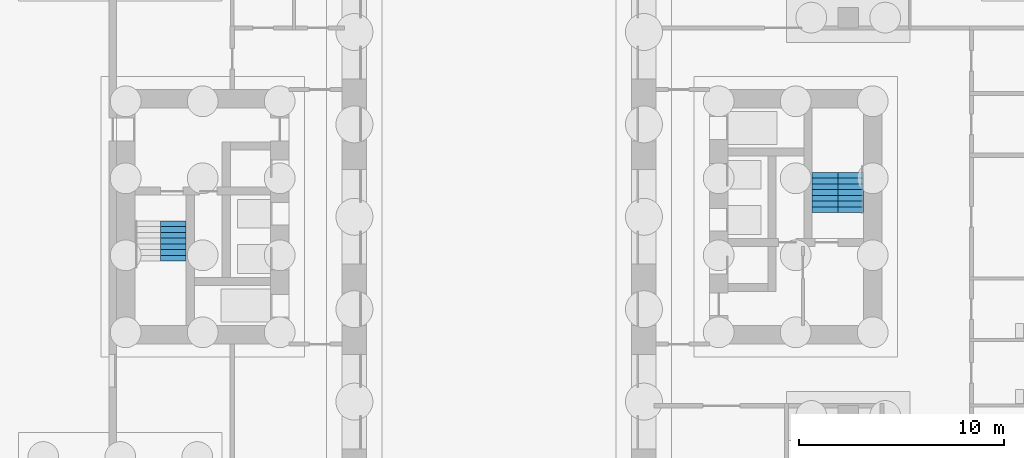
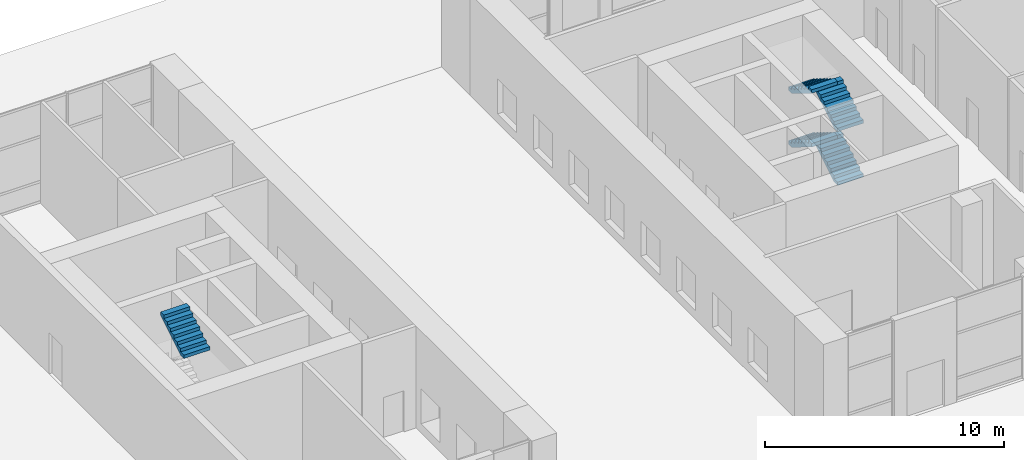
# One storey, part 22 of 26: 5 stair flights, 2 elements without a shape of their own.
"""IFC4 building model written with IfcOpenShell, lengths in metres."""

from ifc_helpers import new_model, si_unit, direction, frame, origin, place, context, subcontext, project, spatial, faceted_brep, material, type_object, element, aggregate, save


model = new_model("IFC4")

# Units and contexts
model_context = context("Model", 3, precision=1e-05, world=origin(), true_north=direction((0.0, 1.0)))
body_context = subcontext(model_context, "Body", "Model", "MODEL_VIEW")
ifc_project = project(units=[si_unit("LENGTHUNIT", "METRE"), si_unit("AREAUNIT", "SQUARE_METRE"), si_unit("VOLUMEUNIT", "CUBIC_METRE"), si_unit("PLANEANGLEUNIT", "RADIAN"), si_unit("MASSUNIT", "GRAM", prefix="KILO")], contexts=[model_context])

# Site, building, storey
site_placement = place(None, origin())
site = spatial("IfcSite", under=ifc_project, at=site_placement, CompositionType="ELEMENT")
building_placement = place(site_placement, origin())
building = spatial("IfcBuilding", under=site, at=building_placement, Name="Tuart Gate Housing", CompositionType="ELEMENT")
storey_placement = place(building_placement, origin())
storey = spatial("IfcBuildingStorey", under=building, at=storey_placement, Name="L00", CompositionType="ELEMENT", Elevation=0.0)

# Stair, stair flight
ifc_material_1 = material(Name="Concrete C40", Category="concrete")
stair_type = type_object("IfcStairType", Name="Core stair 1250", PredefinedType="HALF_TURN_STAIR", material=ifc_material_1)
stair_1_placement = place(storey_placement, origin())
stair_1 = element("IfcStair", 1, at=stair_1_placement, inside=storey, type_object=stair_type, Name="Stair SB1", PredefinedType="HALF_TURN_STAIR")
ifc_material_2 = material(Name="Concrete C40", Category="concrete")
stair_flight_type = type_object("IfcStairFlightType", Name="Stair flight 1250, 8 risers 172 x 280", PredefinedType="STRAIGHT", material=ifc_material_2)
stair_flight_1_placement = place(storey_placement, frame((134.135009765625, 67.840087890625, 4.125), z_axis=(0.0, 0.0, 1.0), x_axis=(0.0, 1.0, 0.0)))
stair_flight_1 = element("IfcStairFlight", 2, at=stair_flight_1_placement, type_object=stair_flight_type, Name="SB1 flight 4", NumberOfRisers=8, NumberOfTreads=7, PredefinedType="STRAIGHT", RiserHeight=0.171875, TreadLength=0.28, context=body_context, shape_type="Brep", body=[
    faceted_brep([(0.0, 0.625, 0.0), (0.0, 0.625, 0.171875), (0.280029296875, 0.625, 0.171875), (0.280029296875, 0.625, 0.34375), (0.56005859375, 0.625, 0.34375), (0.56005859375, 0.625, 0.515625), (0.840087890625, 0.625, 0.515625), (0.840087890625, 0.625, 0.6875), (1.1201171875, 0.625, 0.6875), (1.1201171875, 0.625, 0.859375), (1.39990234375, 0.625, 0.859375), (1.39990234375, 0.625, 1.03125), (1.679931640625, 0.625, 1.03125), (1.679931640625, 0.625, 1.203125), (1.9599609375, 0.625, 1.203125), (1.9599609375, 0.625, 1.02734375), (0.28662109375, 0.625, 0.0), (0.28662109375, -0.625, 0.0), (1.9599609375, -0.625, 1.02734375), (1.9599609375, -0.625, 1.203125), (1.679931640625, -0.625, 1.203125), (1.679931640625, -0.625, 1.03125), (1.39990234375, -0.625, 1.03125), (1.39990234375, -0.625, 0.859375), (1.1201171875, -0.625, 0.859375), (1.1201171875, -0.625, 0.6875), (0.840087890625, -0.625, 0.6875), (0.840087890625, -0.625, 0.515625), (0.56005859375, -0.625, 0.515625), (0.56005859375, -0.625, 0.34375), (0.280029296875, -0.625, 0.34375), (0.280029296875, -0.625, 0.171875), (0.0, -0.625, 0.171875), (0.0, -0.625, 0.0), (1.9599609375, 0.0, 1.02734375), (0.28662109375, 0.0, 0.0), (1.9599609375, 0.0, 1.203125), (1.679931640625, 0.0, 1.203125), (1.679931640625, 0.0, 1.03125), (1.39990234375, 0.0, 1.03125), (1.39990234375, 0.0, 0.859375), (1.1201171875, 0.0, 0.859375), (1.1201171875, 0.0, 0.6875), (0.840087890625, 0.0, 0.6875), (0.840087890625, 0.0, 0.515625), (0.56005859375, 0.0, 0.515625), (0.56005859375, 0.0, 0.34375), (0.280029296875, 0.0, 0.34375), (0.280029296875, 0.0, 0.171875), (0.0, 0.0, 0.171875), (0.0, 0.0, 0.0)], [[[0, 1, 2, 3, 4, 5, 6, 7, 8, 9, 10, 11, 12, 13, 14, 15, 16]], [[17, 18, 19, 20, 21, 22, 23, 24, 25, 26, 27, 28, 29, 30, 31, 32, 33]], [[16, 15, 34, 35]], [[35, 34, 18, 17]], [[15, 14, 36, 34]], [[34, 36, 19, 18]], [[14, 13, 37, 36]], [[36, 37, 20, 19]], [[13, 12, 38, 37]], [[37, 38, 21, 20]], [[12, 11, 39, 38]], [[38, 39, 22, 21]], [[11, 10, 40, 39]], [[39, 40, 23, 22]], [[10, 9, 41, 40]], [[40, 41, 24, 23]], [[9, 8, 42, 41]], [[41, 42, 25, 24]], [[8, 7, 43, 42]], [[42, 43, 26, 25]], [[7, 6, 44, 43]], [[43, 44, 27, 26]], [[6, 5, 45, 44]], [[44, 45, 28, 27]], [[5, 4, 46, 45]], [[45, 46, 29, 28]], [[4, 3, 47, 46]], [[46, 47, 30, 29]], [[3, 2, 48, 47]], [[47, 48, 31, 30]], [[2, 1, 49, 48]], [[48, 49, 32, 31]], [[1, 0, 50, 49]], [[49, 50, 33, 32]], [[0, 16, 35, 50]], [[50, 35, 17, 33]]]),
])
aggregate(stair_1, [stair_flight_1])

# Stair, stair flights
stair_2_placement = place(storey_placement, origin())
stair_2 = element("IfcStair", 3, at=stair_2_placement, inside=storey, type_object=stair_type, Name="Stair SB2", PredefinedType="HALF_TURN_STAIR")
stair_flight_2_placement = place(storey_placement, frame((167.114990234375, 70.199951171875, 0.0), z_axis=(0.0, 0.0, 1.0), x_axis=(0.0, 1.0, 0.0)))
stair_flight_2 = element("IfcStairFlight", 4, at=stair_flight_2_placement, type_object=stair_flight_type, Name="SB2 flight 1", NumberOfRisers=8, NumberOfTreads=7, PredefinedType="STRAIGHT", RiserHeight=0.171875, TreadLength=0.28, context=body_context, shape_type="Brep", body=[
    faceted_brep([(0.0, 0.625, 0.0), (0.0, 0.625, 0.171875), (0.280029296875, 0.625, 0.171875), (0.280029296875, 0.625, 0.34375), (0.56005859375, 0.625, 0.34375), (0.56005859375, 0.625, 0.515625), (0.840087890625, 0.625, 0.515625), (0.840087890625, 0.625, 0.6875), (1.1201171875, 0.625, 0.6875), (1.1201171875, 0.625, 0.859375), (1.39990234375, 0.625, 0.859375), (1.39990234375, 0.625, 1.03125), (1.679931640625, 0.625, 1.03125), (1.679931640625, 0.625, 1.203125), (1.9599609375, 0.625, 1.203125), (1.9599609375, 0.625, 1.02734375), (0.28662109375, 0.625, 0.0), (0.28662109375, -0.625, 0.0), (1.9599609375, -0.625, 1.02734375), (1.9599609375, -0.625, 1.203125), (1.679931640625, -0.625, 1.203125), (1.679931640625, -0.625, 1.03125), (1.39990234375, -0.625, 1.03125), (1.39990234375, -0.625, 0.859375), (1.1201171875, -0.625, 0.859375), (1.1201171875, -0.625, 0.6875), (0.840087890625, -0.625, 0.6875), (0.840087890625, -0.625, 0.515625), (0.56005859375, -0.625, 0.515625), (0.56005859375, -0.625, 0.34375), (0.280029296875, -0.625, 0.34375), (0.280029296875, -0.625, 0.171875), (0.0, -0.625, 0.171875), (0.0, -0.625, 0.0), (1.9599609375, 0.0, 1.02734375), (0.28662109375, 0.0, 0.0), (1.9599609375, 0.0, 1.203125), (1.679931640625, 0.0, 1.203125), (1.679931640625, 0.0, 1.03125), (1.39990234375, 0.0, 1.03125), (1.39990234375, 0.0, 0.859375), (1.1201171875, 0.0, 0.859375), (1.1201171875, 0.0, 0.6875), (0.840087890625, 0.0, 0.6875), (0.840087890625, 0.0, 0.515625), (0.56005859375, 0.0, 0.515625), (0.56005859375, 0.0, 0.34375), (0.280029296875, 0.0, 0.34375), (0.280029296875, 0.0, 0.171875), (0.0, 0.0, 0.171875), (0.0, 0.0, 0.0)], [[[0, 1, 2, 3, 4, 5, 6, 7, 8, 9, 10, 11, 12, 13, 14, 15, 16]], [[17, 18, 19, 20, 21, 22, 23, 24, 25, 26, 27, 28, 29, 30, 31, 32, 33]], [[16, 15, 34, 35]], [[35, 34, 18, 17]], [[15, 14, 36, 34]], [[34, 36, 19, 18]], [[14, 13, 37, 36]], [[36, 37, 20, 19]], [[13, 12, 38, 37]], [[37, 38, 21, 20]], [[12, 11, 39, 38]], [[38, 39, 22, 21]], [[11, 10, 40, 39]], [[39, 40, 23, 22]], [[10, 9, 41, 40]], [[40, 41, 24, 23]], [[9, 8, 42, 41]], [[41, 42, 25, 24]], [[8, 7, 43, 42]], [[42, 43, 26, 25]], [[7, 6, 44, 43]], [[43, 44, 27, 26]], [[6, 5, 45, 44]], [[44, 45, 28, 27]], [[5, 4, 46, 45]], [[45, 46, 29, 28]], [[4, 3, 47, 46]], [[46, 47, 30, 29]], [[3, 2, 48, 47]], [[47, 48, 31, 30]], [[2, 1, 49, 48]], [[48, 49, 32, 31]], [[1, 0, 50, 49]], [[49, 50, 33, 32]], [[0, 16, 35, 50]], [[50, 35, 17, 33]]]),
])
stair_flight_3_placement = place(storey_placement, frame((165.864990234375, 72.159912109375, 1.375), z_axis=(0.0, 0.0, 1.0), x_axis=(0.0, -1.0, 0.0)))
stair_flight_3 = element("IfcStairFlight", 5, at=stair_flight_3_placement, type_object=stair_flight_type, Name="SB2 flight 2", NumberOfRisers=8, NumberOfTreads=7, PredefinedType="STRAIGHT", RiserHeight=0.171875, TreadLength=0.28, context=body_context, shape_type="Brep", body=[
    faceted_brep([(0.0, 0.625, 0.0), (0.0, 0.625, 0.171875), (0.280029296875, 0.625, 0.171875), (0.280029296875, 0.625, 0.34375), (0.56005859375, 0.625, 0.34375), (0.56005859375, 0.625, 0.515625), (0.840087890625, 0.625, 0.515625), (0.840087890625, 0.625, 0.6875), (1.1201171875, 0.625, 0.6875), (1.1201171875, 0.625, 0.859375), (1.39990234375, 0.625, 0.859375), (1.39990234375, 0.625, 1.03125), (1.679931640625, 0.625, 1.03125), (1.679931640625, 0.625, 1.203125), (1.9599609375, 0.625, 1.203125), (1.9599609375, 0.625, 1.02734375), (0.28662109375, 0.625, 0.0), (0.28662109375, -0.625, 0.0), (1.9599609375, -0.625, 1.02734375), (1.9599609375, -0.625, 1.203125), (1.679931640625, -0.625, 1.203125), (1.679931640625, -0.625, 1.03125), (1.39990234375, -0.625, 1.03125), (1.39990234375, -0.625, 0.859375), (1.1201171875, -0.625, 0.859375), (1.1201171875, -0.625, 0.6875), (0.840087890625, -0.625, 0.6875), (0.840087890625, -0.625, 0.515625), (0.56005859375, -0.625, 0.515625), (0.56005859375, -0.625, 0.34375), (0.280029296875, -0.625, 0.34375), (0.280029296875, -0.625, 0.171875), (0.0, -0.625, 0.171875), (0.0, -0.625, 0.0), (1.9599609375, 0.0, 1.02734375), (0.28662109375, 0.0, 0.0), (1.9599609375, 0.0, 1.203125), (1.679931640625, 0.0, 1.203125), (1.679931640625, 0.0, 1.03125), (1.39990234375, 0.0, 1.03125), (1.39990234375, 0.0, 0.859375), (1.1201171875, 0.0, 0.859375), (1.1201171875, 0.0, 0.6875), (0.840087890625, 0.0, 0.6875), (0.840087890625, 0.0, 0.515625), (0.56005859375, 0.0, 0.515625), (0.56005859375, 0.0, 0.34375), (0.280029296875, 0.0, 0.34375), (0.280029296875, 0.0, 0.171875), (0.0, 0.0, 0.171875), (0.0, 0.0, 0.0)], [[[0, 1, 2, 3, 4, 5, 6, 7, 8, 9, 10, 11, 12, 13, 14, 15, 16]], [[17, 18, 19, 20, 21, 22, 23, 24, 25, 26, 27, 28, 29, 30, 31, 32, 33]], [[16, 15, 34, 35]], [[35, 34, 18, 17]], [[15, 14, 36, 34]], [[34, 36, 19, 18]], [[14, 13, 37, 36]], [[36, 37, 20, 19]], [[13, 12, 38, 37]], [[37, 38, 21, 20]], [[12, 11, 39, 38]], [[38, 39, 22, 21]], [[11, 10, 40, 39]], [[39, 40, 23, 22]], [[10, 9, 41, 40]], [[40, 41, 24, 23]], [[9, 8, 42, 41]], [[41, 42, 25, 24]], [[8, 7, 43, 42]], [[42, 43, 26, 25]], [[7, 6, 44, 43]], [[43, 44, 27, 26]], [[6, 5, 45, 44]], [[44, 45, 28, 27]], [[5, 4, 46, 45]], [[45, 46, 29, 28]], [[4, 3, 47, 46]], [[46, 47, 30, 29]], [[3, 2, 48, 47]], [[47, 48, 31, 30]], [[2, 1, 49, 48]], [[48, 49, 32, 31]], [[1, 0, 50, 49]], [[49, 50, 33, 32]], [[0, 16, 35, 50]], [[50, 35, 17, 33]]]),
])
stair_flight_4_placement = place(storey_placement, frame((167.114990234375, 70.199951171875, 2.75), z_axis=(0.0, 0.0, 1.0), x_axis=(0.0, 1.0, 0.0)))
stair_flight_4 = element("IfcStairFlight", 6, at=stair_flight_4_placement, type_object=stair_flight_type, Name="SB2 flight 3", NumberOfRisers=8, NumberOfTreads=7, PredefinedType="STRAIGHT", RiserHeight=0.171875, TreadLength=0.28, context=body_context, shape_type="Brep", body=[
    faceted_brep([(0.0, 0.625, 0.0), (0.0, 0.625, 0.171875), (0.280029296875, 0.625, 0.171875), (0.280029296875, 0.625, 0.34375), (0.56005859375, 0.625, 0.34375), (0.56005859375, 0.625, 0.515625), (0.840087890625, 0.625, 0.515625), (0.840087890625, 0.625, 0.6875), (1.1201171875, 0.625, 0.6875), (1.1201171875, 0.625, 0.859375), (1.39990234375, 0.625, 0.859375), (1.39990234375, 0.625, 1.03125), (1.679931640625, 0.625, 1.03125), (1.679931640625, 0.625, 1.203125), (1.9599609375, 0.625, 1.203125), (1.9599609375, 0.625, 1.02734375), (0.28662109375, 0.625, 0.0), (0.28662109375, -0.625, 0.0), (1.9599609375, -0.625, 1.02734375), (1.9599609375, -0.625, 1.203125), (1.679931640625, -0.625, 1.203125), (1.679931640625, -0.625, 1.03125), (1.39990234375, -0.625, 1.03125), (1.39990234375, -0.625, 0.859375), (1.1201171875, -0.625, 0.859375), (1.1201171875, -0.625, 0.6875), (0.840087890625, -0.625, 0.6875), (0.840087890625, -0.625, 0.515625), (0.56005859375, -0.625, 0.515625), (0.56005859375, -0.625, 0.34375), (0.280029296875, -0.625, 0.34375), (0.280029296875, -0.625, 0.171875), (0.0, -0.625, 0.171875), (0.0, -0.625, 0.0), (1.9599609375, 0.0, 1.02734375), (0.28662109375, 0.0, 0.0), (1.9599609375, 0.0, 1.203125), (1.679931640625, 0.0, 1.203125), (1.679931640625, 0.0, 1.03125), (1.39990234375, 0.0, 1.03125), (1.39990234375, 0.0, 0.859375), (1.1201171875, 0.0, 0.859375), (1.1201171875, 0.0, 0.6875), (0.840087890625, 0.0, 0.6875), (0.840087890625, 0.0, 0.515625), (0.56005859375, 0.0, 0.515625), (0.56005859375, 0.0, 0.34375), (0.280029296875, 0.0, 0.34375), (0.280029296875, 0.0, 0.171875), (0.0, 0.0, 0.171875), (0.0, 0.0, 0.0)], [[[0, 1, 2, 3, 4, 5, 6, 7, 8, 9, 10, 11, 12, 13, 14, 15, 16]], [[17, 18, 19, 20, 21, 22, 23, 24, 25, 26, 27, 28, 29, 30, 31, 32, 33]], [[16, 15, 34, 35]], [[35, 34, 18, 17]], [[15, 14, 36, 34]], [[34, 36, 19, 18]], [[14, 13, 37, 36]], [[36, 37, 20, 19]], [[13, 12, 38, 37]], [[37, 38, 21, 20]], [[12, 11, 39, 38]], [[38, 39, 22, 21]], [[11, 10, 40, 39]], [[39, 40, 23, 22]], [[10, 9, 41, 40]], [[40, 41, 24, 23]], [[9, 8, 42, 41]], [[41, 42, 25, 24]], [[8, 7, 43, 42]], [[42, 43, 26, 25]], [[7, 6, 44, 43]], [[43, 44, 27, 26]], [[6, 5, 45, 44]], [[44, 45, 28, 27]], [[5, 4, 46, 45]], [[45, 46, 29, 28]], [[4, 3, 47, 46]], [[46, 47, 30, 29]], [[3, 2, 48, 47]], [[47, 48, 31, 30]], [[2, 1, 49, 48]], [[48, 49, 32, 31]], [[1, 0, 50, 49]], [[49, 50, 33, 32]], [[0, 16, 35, 50]], [[50, 35, 17, 33]]]),
])
stair_flight_5_placement = place(storey_placement, frame((165.864990234375, 72.159912109375, 4.125), z_axis=(0.0, 0.0, 1.0), x_axis=(0.0, -1.0, 0.0)))
stair_flight_5 = element("IfcStairFlight", 7, at=stair_flight_5_placement, type_object=stair_flight_type, Name="SB2 flight 4", NumberOfRisers=8, NumberOfTreads=7, PredefinedType="STRAIGHT", RiserHeight=0.171875, TreadLength=0.28, context=body_context, shape_type="Brep", body=[
    faceted_brep([(0.0, 0.625, 0.0), (0.0, 0.625, 0.171875), (0.280029296875, 0.625, 0.171875), (0.280029296875, 0.625, 0.34375), (0.56005859375, 0.625, 0.34375), (0.56005859375, 0.625, 0.515625), (0.840087890625, 0.625, 0.515625), (0.840087890625, 0.625, 0.6875), (1.1201171875, 0.625, 0.6875), (1.1201171875, 0.625, 0.859375), (1.39990234375, 0.625, 0.859375), (1.39990234375, 0.625, 1.03125), (1.679931640625, 0.625, 1.03125), (1.679931640625, 0.625, 1.203125), (1.9599609375, 0.625, 1.203125), (1.9599609375, 0.625, 1.02734375), (0.28662109375, 0.625, 0.0), (0.28662109375, -0.625, 0.0), (1.9599609375, -0.625, 1.02734375), (1.9599609375, -0.625, 1.203125), (1.679931640625, -0.625, 1.203125), (1.679931640625, -0.625, 1.03125), (1.39990234375, -0.625, 1.03125), (1.39990234375, -0.625, 0.859375), (1.1201171875, -0.625, 0.859375), (1.1201171875, -0.625, 0.6875), (0.840087890625, -0.625, 0.6875), (0.840087890625, -0.625, 0.515625), (0.56005859375, -0.625, 0.515625), (0.56005859375, -0.625, 0.34375), (0.280029296875, -0.625, 0.34375), (0.280029296875, -0.625, 0.171875), (0.0, -0.625, 0.171875), (0.0, -0.625, 0.0), (1.9599609375, 0.0, 1.02734375), (0.28662109375, 0.0, 0.0), (1.9599609375, 0.0, 1.203125), (1.679931640625, 0.0, 1.203125), (1.679931640625, 0.0, 1.03125), (1.39990234375, 0.0, 1.03125), (1.39990234375, 0.0, 0.859375), (1.1201171875, 0.0, 0.859375), (1.1201171875, 0.0, 0.6875), (0.840087890625, 0.0, 0.6875), (0.840087890625, 0.0, 0.515625), (0.56005859375, 0.0, 0.515625), (0.56005859375, 0.0, 0.34375), (0.280029296875, 0.0, 0.34375), (0.280029296875, 0.0, 0.171875), (0.0, 0.0, 0.171875), (0.0, 0.0, 0.0)], [[[0, 1, 2, 3, 4, 5, 6, 7, 8, 9, 10, 11, 12, 13, 14, 15, 16]], [[17, 18, 19, 20, 21, 22, 23, 24, 25, 26, 27, 28, 29, 30, 31, 32, 33]], [[16, 15, 34, 35]], [[35, 34, 18, 17]], [[15, 14, 36, 34]], [[34, 36, 19, 18]], [[14, 13, 37, 36]], [[36, 37, 20, 19]], [[13, 12, 38, 37]], [[37, 38, 21, 20]], [[12, 11, 39, 38]], [[38, 39, 22, 21]], [[11, 10, 40, 39]], [[39, 40, 23, 22]], [[10, 9, 41, 40]], [[40, 41, 24, 23]], [[9, 8, 42, 41]], [[41, 42, 25, 24]], [[8, 7, 43, 42]], [[42, 43, 26, 25]], [[7, 6, 44, 43]], [[43, 44, 27, 26]], [[6, 5, 45, 44]], [[44, 45, 28, 27]], [[5, 4, 46, 45]], [[45, 46, 29, 28]], [[4, 3, 47, 46]], [[46, 47, 30, 29]], [[3, 2, 48, 47]], [[47, 48, 31, 30]], [[2, 1, 49, 48]], [[48, 49, 32, 31]], [[1, 0, 50, 49]], [[49, 50, 33, 32]], [[0, 16, 35, 50]], [[50, 35, 17, 33]]]),
])
aggregate(stair_2, [stair_flight_2, stair_flight_3, stair_flight_4, stair_flight_5])

save(model, "model.ifc")
